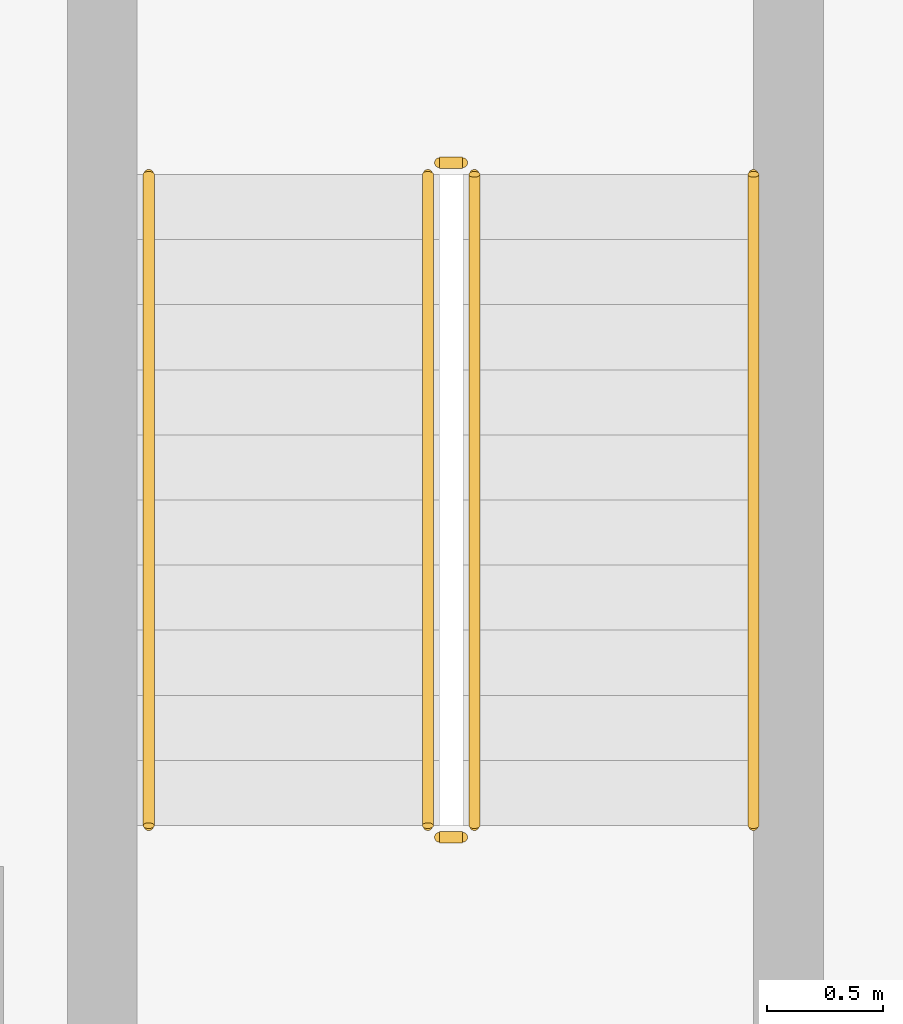
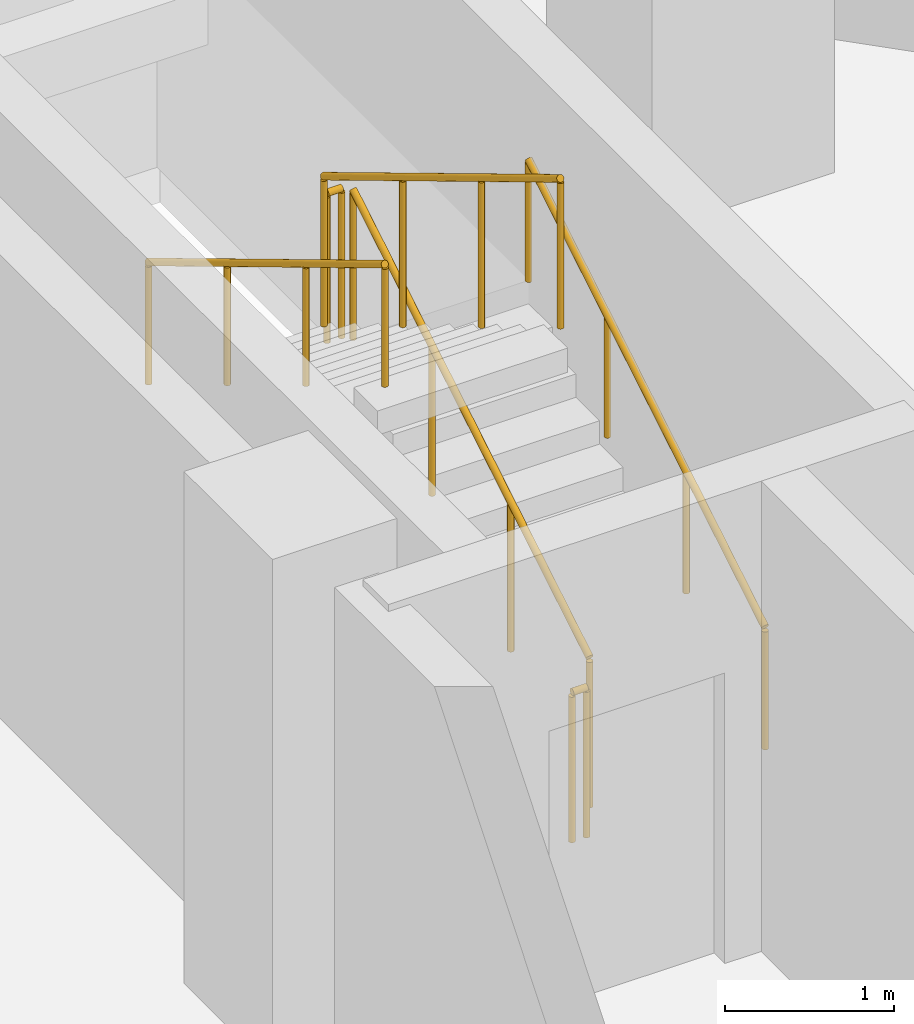
# One storey, part 22 of 22: 6 railings.
"""IFC4 building model written with IfcOpenShell, lengths in metres."""

import ifcopenshell
import ifcopenshell.guid

model = None  # the IFC model being written
_history = None  # IfcOwnerHistory: only IFC2X3 demands one
_inside = {}  # id of a spatial element -> (the spatial element, [elements in it])
_under = {}  # id of a project, library or spatial element -> (it, [spatial elements below it])
_declared = {}  # id of a project -> (the project, [libraries it declares])
_typed = {}  # id of a type object -> (the type object, [elements of that type])
_made_of = {}  # id of a material, layer set ... -> (it, [elements and type objects made of it])


def new_model(schema):
    """Start an empty IFC model of exactly this schema.

    Asked for "IFC4X3", IfcOpenShell would pick the latest addendum, in which some entities
    have other attributes; the version numbers below select the first issue.
    IFC2X3 requires an IfcOwnerHistory on every rooted entity: one is made here for all.
    """
    global model, _history
    if schema == "IFC4X3":
        model = ifcopenshell.file(schema_version=(4, 3, 0, 0))
    else:
        model = ifcopenshell.file(schema=schema)
    _inside.clear()
    _under.clear()
    _declared.clear()
    _typed.clear()
    _made_of.clear()
    _history = None
    if model.schema == "IFC2X3":
        org = make("IfcOrganization", Name="unknown")
        user = make(
            "IfcPersonAndOrganization",
            ThePerson=make("IfcPerson", FamilyName="unknown"),
            TheOrganization=org,
        )
        app = make(
            "IfcApplication",
            ApplicationDeveloper=org,
            Version="unknown",
            ApplicationFullName="unknown",
            ApplicationIdentifier="unknown",
        )
        _history = make(
            "IfcOwnerHistory",
            OwningUser=user,
            OwningApplication=app,
            ChangeAction="ADDED",
            CreationDate=0,
        )
    return model


def make(cls, **values):
    """One entity of the class cls with the attributes given. An attribute that is None is left unset."""
    return model.create_entity(
        cls, **{name: value for name, value in values.items() if value is not None}
    )


def rooted(cls, **values):
    """An entity with a GlobalId (a new one), such as an element, a storey or a relation."""
    return make(cls, GlobalId=ifcopenshell.guid.new(), OwnerHistory=_history, **values)


def si_unit(unit_type, name, prefix=None):
    """IfcSIUnit, for example si_unit("LENGTHUNIT", "METRE", prefix="MILLI")."""
    return make("IfcSIUnit", UnitType=unit_type, Prefix=prefix, Name=name)


def assignment(units):
    """IfcUnitAssignment: the units of a project."""
    return None if units is None else make("IfcUnitAssignment", Units=units)


def point(xyz):
    """IfcCartesianPoint."""
    return None if xyz is None else make("IfcCartesianPoint", Coordinates=xyz)


def direction(xyz):
    """IfcDirection."""
    return None if xyz is None else make("IfcDirection", DirectionRatios=xyz)


def frame(location, z_axis=None, x_axis=None):
    """IfcAxis2Placement3D, a coordinate frame: its origin and axes. An axis left out is left unset."""
    return make(
        "IfcAxis2Placement3D",
        Location=point(location),
        Axis=direction(z_axis),
        RefDirection=direction(x_axis),
    )


def frame_2d(location, x_axis=None):
    """IfcAxis2Placement2D, a coordinate frame in the plane: its origin and x axis."""
    return make(
        "IfcAxis2Placement2D", Location=point(location), RefDirection=direction(x_axis)
    )


def origin():
    """The frame at (0, 0, 0) with its axes left unset."""
    return frame((0.0, 0.0, 0.0))


def origin_2d():
    """The frame at (0, 0) in the plane with its x axis left unset."""
    return frame_2d((0.0, 0.0))


def place(relative_to, where):
    """IfcLocalPlacement: puts the frame where relative to a parent placement (None: the world)."""
    return make(
        "IfcLocalPlacement", PlacementRelTo=relative_to, RelativePlacement=where
    )


def context(
    kind, dimensions, precision=None, world=None, true_north=None, identifier=None
):
    """IfcGeometricRepresentationContext, for example the 3D "Model" context."""
    return make(
        "IfcGeometricRepresentationContext",
        ContextIdentifier=identifier,
        ContextType=kind,
        CoordinateSpaceDimension=dimensions,
        Precision=precision,
        WorldCoordinateSystem=world,
        TrueNorth=true_north,
    )


def subcontext(parent, identifier, kind, view, scale=None):
    """IfcGeometricRepresentationSubContext, for example "Body" below "Model"."""
    return make(
        "IfcGeometricRepresentationSubContext",
        ContextIdentifier=identifier,
        ContextType=kind,
        ParentContext=parent,
        TargetScale=scale,
        TargetView=view,
    )


def project(units=None, contexts=None):
    """IfcProject with its units and contexts."""
    return rooted(
        "IfcProject",
        Name="project",
        RepresentationContexts=contexts,
        UnitsInContext=assignment(units),
    )


def spatial(cls, under=None, at=None, **own):
    """A site, building, storey or space (cls), placed at a placement, below another one or the project."""
    s = rooted(cls, ObjectPlacement=at, **own)
    if under is not None:
        _under.setdefault(under.id(), (under, []))[1].append(s)
    return s


def profile(cls, at=None, kind="AREA", **sizes):
    """A parametric profile (cls). Its sizes go by their IFC names, for example OverallWidth=200.0."""
    return make(cls, ProfileType=kind, Position=at, **sizes)


def circle(**sizes):
    """IfcCircleProfileDef."""
    return profile("IfcCircleProfileDef", **sizes)


def extrude(swept, where, along, depth):
    """IfcExtrudedAreaSolid: the profile swept, set in the frame where, extruded along a direction by depth."""
    return make(
        "IfcExtrudedAreaSolid",
        SweptArea=swept,
        Position=where,
        ExtrudedDirection=direction(along),
        Depth=depth,
    )


def shape(context_of_items, identifier, shape_type, items):
    """IfcShapeRepresentation: the items that make up one representation, for example the "Body"."""
    return make(
        "IfcShapeRepresentation",
        ContextOfItems=context_of_items,
        RepresentationIdentifier=identifier,
        RepresentationType=shape_type,
        Items=items,
    )


def material(Name=None, Category=None):
    """IfcMaterial."""
    return make("IfcMaterial", Name=Name, Category=Category)


def made_of(thing, what):
    """Note that an element or type object is made of a material, layer set ...; save() writes the relation."""
    if what is not None:
        _made_of.setdefault(what.id(), (what, []))[1].append(thing)
    return thing


def type_object(cls, material=None, **own):
    """A type object (cls), such as IfcWallType, which elements share."""
    return made_of(rooted(cls, **own), material)


def element(
    cls,
    number,
    at=None,
    inside=None,
    cuts=None,
    type_object=None,
    material=None,
    context=None,
    identifier="Body",
    shape_type=None,
    held_by="IfcProductDefinitionShape",
    body=None,
    shapes=None,
    **own,
):
    """One element of the class cls, such as IfcWall. Its Tag is "e" and its number.

    at: its placement. inside: the storey or other place that contains it. cuts: it is an
    opening in that element (IfcRelVoidsElement). A single representation is given by context,
    identifier, shape_type and body (its items); several are given by shapes. held_by: the class
    of the entity that holds the representations. save() writes the other relations.
    """
    e = rooted(cls, Tag="e%d" % number, ObjectPlacement=at, **own)
    if body is not None:
        shapes = [shape(context, identifier, shape_type, body)]
    if shapes is not None:
        e.Representation = make(held_by, Representations=shapes)
    if inside is not None:
        _inside.setdefault(inside.id(), (inside, []))[1].append(e)
    if cuts is not None:
        rooted(
            "IfcRelVoidsElement", RelatingBuildingElement=cuts, RelatedOpeningElement=e
        )
    if type_object is not None:
        _typed.setdefault(type_object.id(), (type_object, []))[1].append(e)
    return made_of(e, material)


def aggregate(whole, parts):
    """IfcRelAggregates: a whole, such as a stair, and the parts it consists of."""
    return rooted("IfcRelAggregates", RelatingObject=whole, RelatedObjects=parts)


def save(model, path):
    """Write the relations noted so far, then the file.

    IfcRelAggregates (storeys below a building ...), IfcRelContainedInSpatialStructure (elements
    in a storey), IfcRelDefinesByType, IfcRelAssociatesMaterial and IfcRelDeclares: one each for
    every whole, place, type object, material and project.
    """
    for whole, parts in _under.values():
        aggregate(whole, parts)
    for where, things in _inside.values():
        rooted(
            "IfcRelContainedInSpatialStructure",
            RelatedElements=things,
            RelatingStructure=where,
        )
    for kind, things in _typed.values():
        rooted("IfcRelDefinesByType", RelatedObjects=things, RelatingType=kind)
    for what, things in _made_of.values():
        rooted("IfcRelAssociatesMaterial", RelatedObjects=things, RelatingMaterial=what)
    for by, libraries in _declared.values():
        rooted("IfcRelDeclares", RelatingContext=by, RelatedDefinitions=libraries)
    model.write(path)


model = new_model("IFC4")

# Units and contexts
model_context = context("Model", 3, precision=1e-05, world=origin(), true_north=direction((0.0, 1.0)))
body_context = subcontext(model_context, "Body", "Model", "MODEL_VIEW")
ifc_project = project(units=[si_unit("LENGTHUNIT", "METRE"), si_unit("AREAUNIT", "SQUARE_METRE"), si_unit("VOLUMEUNIT", "CUBIC_METRE"), si_unit("PLANEANGLEUNIT", "RADIAN"), si_unit("MASSUNIT", "GRAM", prefix="KILO")], contexts=[model_context])

# Site, building, storey
site_placement = place(None, origin())
site = spatial("IfcSite", under=ifc_project, at=site_placement, CompositionType="ELEMENT")
building_placement = place(site_placement, origin())
building = spatial("IfcBuilding", under=site, at=building_placement, Name="Ogive Portal Towers", CompositionType="ELEMENT")
storey_placement = place(building_placement, frame((0.0, 0.0, 131.5)))
storey = spatial("IfcBuildingStorey", under=building, at=storey_placement, Name="L32", CompositionType="ELEMENT", Elevation=131.5)

# Railings
ifc_material_1 = material(Name="Stainless steel balustrade", Category="steel")
railing_type_1 = type_object("IfcRailingType", Name="INT-GUARD", PredefinedType="GUARDRAIL", material=ifc_material_1)
railing_1_placement = place(storey_placement, frame((42.949951171875, 67.199951171875, 0.168212890625)))
element("IfcRailing", 1, at=railing_1_placement, inside=storey, type_object=railing_type_1, Name="L32 ST-A3 stair guard 1", PredefinedType="GUARDRAIL", context=body_context, shape_type="SweptSolid", body=[
    extrude(circle(Radius=0.02392578125, at=origin_2d()), frame((0.0, 0.0, 1.076171875), z_axis=(0.0, 0.857242210791, 0.514913383045), x_axis=(-1.0, 0.0, 0.0)), (0.0, 0.0, 1.0), 3.266357421875),
    extrude(circle(Radius=0.02099609375, at=origin_2d()), origin(), (0.0, 0.0, 1.0), 1.052001953125),
    extrude(circle(Radius=0.02099609375, at=origin_2d()), frame((0.0, 0.933349609375, 0.560546875)), (0.0, 0.0, 1.0), 1.052001953125),
    extrude(circle(Radius=0.02099609375, at=origin_2d()), frame((0.0, 1.86669921875, 1.121337890625)), (0.0, 0.0, 1.0), 1.052001953125),
    extrude(circle(Radius=0.02099609375, at=origin_2d()), frame((0.0, 2.800048828125, 1.681884765625)), (0.0, 0.0, 1.0), 1.052001953125),
])
railing_2_placement = place(storey_placement, frame((42.89990234375, 70.050048828125, 1.85009765625)))
element("IfcRailing", 2, at=railing_2_placement, inside=storey, type_object=railing_type_1, Name="L32 ST-A3 stair guard 2", PredefinedType="GUARDRAIL", context=body_context, shape_type="SweptSolid", body=[
    extrude(circle(Radius=0.02392578125, at=origin_2d()), frame((0.0, 0.0, 1.076171875), z_axis=(-1.0, 0.0, 0.0), x_axis=(0.0, -1.0, 0.0)), (0.0, 0.0, 1.0), 0.099853515625),
    extrude(circle(Radius=0.02099609375, at=origin_2d()), origin(), (0.0, 0.0, 1.0), 1.052001953125),
    extrude(circle(Radius=0.02099609375, at=origin_2d()), frame((-0.099853515625, 0.0, 0.0)), (0.0, 0.0, 1.0), 1.052001953125),
])
railing_3_placement = place(storey_placement, frame((42.75, 70.0, 2.01806640625)))
element("IfcRailing", 3, at=railing_3_placement, inside=storey, type_object=railing_type_1, Name="L32 ST-A3 stair guard 3", PredefinedType="GUARDRAIL", context=body_context, shape_type="SweptSolid", body=[
    extrude(circle(Radius=0.02392578125, at=origin_2d()), frame((0.0, 0.0, 1.076171875), z_axis=(0.0, -0.857242210791, 0.514913383045), x_axis=(1.0, 0.0, 0.0)), (0.0, 0.0, 1.0), 3.266357421875),
    extrude(circle(Radius=0.02099609375, at=origin_2d()), origin(), (0.0, 0.0, 1.0), 1.052001953125),
    extrude(circle(Radius=0.02099609375, at=origin_2d()), frame((0.0, -0.933349609375, 0.560546875)), (0.0, 0.0, 1.0), 1.052001953125),
    extrude(circle(Radius=0.02099609375, at=origin_2d()), frame((0.0, -1.86669921875, 1.121337890625)), (0.0, 0.0, 1.0), 1.052001953125),
    extrude(circle(Radius=0.02099609375, at=origin_2d()), frame((0.0, -2.800048828125, 1.681884765625)), (0.0, 0.0, 1.0), 1.052001953125),
])
railing_4_placement = place(storey_placement, frame((42.89990234375, 67.14990234375, 0.0)))
element("IfcRailing", 4, at=railing_4_placement, inside=storey, type_object=railing_type_1, Name="L32 ST-A3 stair guard 4", PredefinedType="GUARDRAIL", context=body_context, shape_type="SweptSolid", body=[
    extrude(circle(Radius=0.02392578125, at=origin_2d()), frame((0.0, 0.0, 1.076171875), z_axis=(-1.0, 0.0, 0.0), x_axis=(0.0, -1.0, 0.0)), (0.0, 0.0, 1.0), 0.099853515625),
    extrude(circle(Radius=0.02099609375, at=origin_2d()), origin(), (0.0, 0.0, 1.0), 1.052001953125),
    extrude(circle(Radius=0.02099609375, at=origin_2d()), frame((-0.099853515625, 0.0, 0.0)), (0.0, 0.0, 1.0), 1.052001953125),
])
ifc_material_2 = material(Name="Stainless steel handrail", Category="steel")
railing_type_2 = type_object("IfcRailingType", Name="INT-HANDRAIL", PredefinedType="HANDRAIL", material=ifc_material_2)
railing_5_placement = place(storey_placement, frame((44.14990234375, 67.199951171875, 0.168212890625)))
element("IfcRailing", 5, at=railing_5_placement, inside=storey, type_object=railing_type_2, Name="L32 ST-A3 stair handrail 1", PredefinedType="HANDRAIL", context=body_context, shape_type="SweptSolid", body=[
    extrude(circle(Radius=0.02392578125, at=origin_2d()), frame((0.0, 0.0, 0.8759765625), z_axis=(0.0, 0.857242210791, 0.514913383045), x_axis=(-1.0, 0.0, 0.0)), (0.0, 0.0, 1.0), 3.266357421875),
    extrude(circle(Radius=0.02099609375, at=origin_2d()), origin(), (0.0, 0.0, 1.0), 0.851806640625),
    extrude(circle(Radius=0.02099609375, at=origin_2d()), frame((0.0, 0.933349609375, 0.560546875)), (0.0, 0.0, 1.0), 0.851806640625),
    extrude(circle(Radius=0.02099609375, at=origin_2d()), frame((0.0, 1.86669921875, 1.121337890625)), (0.0, 0.0, 1.0), 0.851806640625),
    extrude(circle(Radius=0.02099609375, at=origin_2d()), frame((0.0, 2.800048828125, 1.681884765625)), (0.0, 0.0, 1.0), 0.851806640625),
])
railing_6_placement = place(storey_placement, frame((41.550048828125, 70.0, 2.01806640625)))
element("IfcRailing", 6, at=railing_6_placement, inside=storey, type_object=railing_type_2, Name="L32 ST-A3 stair handrail 2", PredefinedType="HANDRAIL", context=body_context, shape_type="SweptSolid", body=[
    extrude(circle(Radius=0.02392578125, at=origin_2d()), frame((0.0, 0.0, 0.8759765625), z_axis=(0.0, -0.857242210791, 0.514913383045), x_axis=(1.0, 0.0, 0.0)), (0.0, 0.0, 1.0), 3.266357421875),
    extrude(circle(Radius=0.02099609375, at=origin_2d()), origin(), (0.0, 0.0, 1.0), 0.851806640625),
    extrude(circle(Radius=0.02099609375, at=origin_2d()), frame((0.0, -0.933349609375, 0.560546875)), (0.0, 0.0, 1.0), 0.851806640625),
    extrude(circle(Radius=0.02099609375, at=origin_2d()), frame((0.0, -1.86669921875, 1.121337890625)), (0.0, 0.0, 1.0), 0.851806640625),
    extrude(circle(Radius=0.02099609375, at=origin_2d()), frame((0.0, -2.800048828125, 1.681884765625)), (0.0, 0.0, 1.0), 0.851806640625),
])

save(model, "model.ifc")
